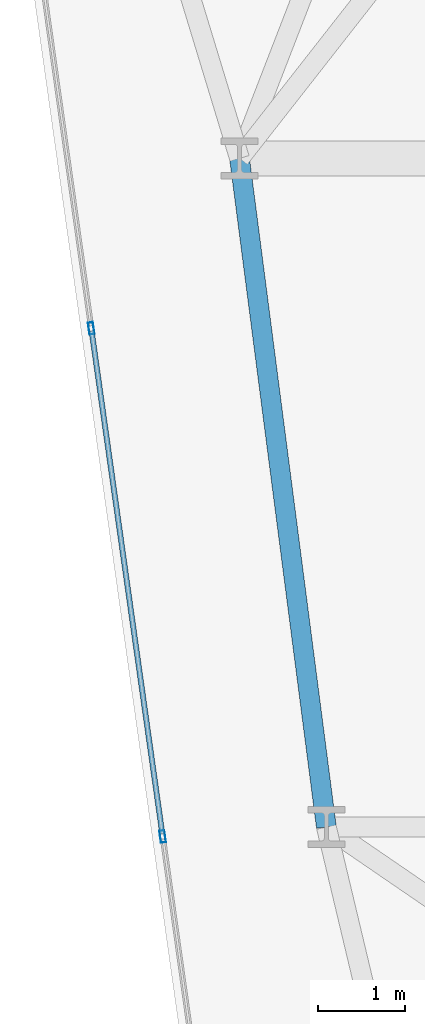
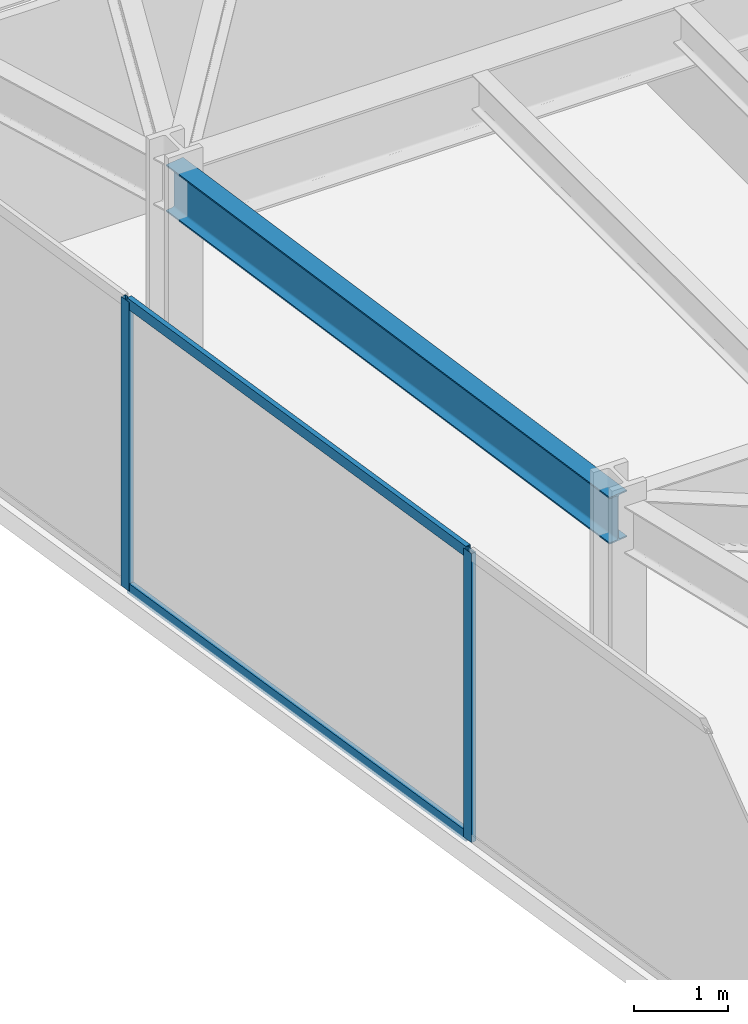
# One storey, part 5 of 26: 4 members, 1 beam, 1 element without a shape of its own.
"""IFC4 building model written with IfcOpenShell, lengths in metres."""

from ifc_helpers import new_model, si_unit, direction, frame, origin, origin_2d, place, context, subcontext, project, spatial, hollow_rectangle, i_section, extrude, material, layer, layer_set, material_profile, profile_set, type_object, element, aggregate, save


model = new_model("IFC4")

# Units and contexts
model_context = context("Model", 3, precision=1e-05, world=origin(), true_north=direction((0.0, 1.0)))
body_context = subcontext(model_context, "Body", "Model", "MODEL_VIEW")
ifc_project = project(units=[si_unit("LENGTHUNIT", "METRE"), si_unit("AREAUNIT", "SQUARE_METRE"), si_unit("VOLUMEUNIT", "CUBIC_METRE"), si_unit("PLANEANGLEUNIT", "RADIAN"), si_unit("MASSUNIT", "GRAM", prefix="KILO")], contexts=[model_context])

# Site, building, storey
site_placement = place(None, origin())
site = spatial("IfcSite", under=ifc_project, at=site_placement, CompositionType="ELEMENT")
building_placement = place(site_placement, origin())
building = spatial("IfcBuilding", under=site, at=building_placement, Name="Kravanh Interchange Tower", CompositionType="ELEMENT")
storey_placement = place(building_placement, frame((0.0, 0.0, 112.0)))
storey = spatial("IfcBuildingStorey", under=building, at=storey_placement, Name="L26", CompositionType="ELEMENT", Elevation=112.0)

# Curtain wall, members
ifc_material_1 = material(Name="Anodised Bronze Aluminium", Category="aluminium")
ifc_layer = layer(ifc_material_1, 0.179931640625)
ifc_layer_set = layer_set([ifc_layer], Name="Unitised Curtain Wall System CW-Z2 Mid Office")
curtain_wall_type = type_object("IfcCurtainWallType", Name="Unitised Curtain Wall System CW-Z2 Mid Office", PredefinedType="NOTDEFINED", material=ifc_layer_set)
curtain_wall_placement = place(storey_placement, origin())
curtain_wall = element("IfcCurtainWall", 1, at=curtain_wall_placement, inside=storey, type_object=curtain_wall_type, Name="L26 Unitised Curtain Wall CW-L26-01", PredefinedType="NOTDEFINED")
ifc_material_2 = material(Name="Anodised Bronze Aluminium", Category="aluminium")
ifc_material_profile_1 = material_profile(ifc_material_2, hollow_rectangle(XDim=0.06005859375, YDim=0.139892578125, WallThickness=0.00390625, at=origin_2d()), Name="ALU60X140X4")
ifc_profile_set_1 = profile_set([ifc_material_profile_1], Name="Anodised Bronze Aluminium")
member_type_1 = type_object("IfcMemberType", Name="Curtain Wall Mullion ALU60X140X4 Bronze", PredefinedType="MULLION", material=ifc_profile_set_1)
member_1_placement = place(storey_placement, frame((14.114990234375, 14.390869140625, 0.0), z_axis=(0.0, 0.0, 1.0), x_axis=(-0.990268103846, -0.13917285118, 0.0)))
member_1 = element("IfcMember", 2, at=member_1_placement, type_object=member_type_1, Name="CW-Z2 mullion 2", PredefinedType="MULLION", context=body_context, shape_type="SweptSolid", body=[
    extrude(hollow_rectangle(XDim=0.06005859375, YDim=0.139892578125, WallThickness=0.00390625, at=origin_2d()), origin(), (0.0, 0.0, 1.0), 3.75),
])
member_2_placement = place(storey_placement, frame((13.29248046875, 20.2431640625, 0.0), z_axis=(0.0, 0.0, 1.0), x_axis=(-0.990268103846, -0.13917285118, 0.0)))
member_2 = element("IfcMember", 3, at=member_2_placement, type_object=member_type_1, Name="CW-Z2 mullion 3", PredefinedType="MULLION", context=body_context, shape_type="SweptSolid", body=[
    extrude(hollow_rectangle(XDim=0.06005859375, YDim=0.139892578125, WallThickness=0.00390625, at=origin_2d()), origin(), (0.0, 0.0, 1.0), 3.75),
])
ifc_material_3 = material(Name="Anodised Bronze Aluminium", Category="aluminium")
ifc_material_profile_2 = material_profile(ifc_material_3, hollow_rectangle(XDim=0.06005859375, YDim=0.139892578125, WallThickness=0.00390625, at=origin_2d()), Name="ALU60X140X4")
ifc_profile_set_2 = profile_set([ifc_material_profile_2], Name="Anodised Bronze Aluminium")
member_type_2 = type_object("IfcMemberType", Name="Curtain Wall Transom ALU60X140X4 Bronze", PredefinedType="USERDEFINED", material=ifc_profile_set_2)
member_3_placement = place(storey_placement, frame((14.11083984375, 14.420654296875, 0.030029296875), z_axis=(-0.139183212647, 0.990266647584, 0.0), x_axis=(-0.990266647584, -0.139183212647, 0.0)))
member_3 = element("IfcMember", 4, at=member_3_placement, type_object=member_type_2, Name="CW-Z2 transom 2.1", ObjectType="TRANSOM", PredefinedType="USERDEFINED", context=body_context, shape_type="SweptSolid", body=[
    extrude(hollow_rectangle(XDim=0.06005859375, YDim=0.139892578125, WallThickness=0.00390625, at=origin_2d()), origin(), (0.0, 0.0, 1.0), 5.849853515625),
])
member_4_placement = place(storey_placement, frame((14.11083984375, 14.420654296875, 3.719970703125), z_axis=(-0.139183212647, 0.990266647584, 0.0), x_axis=(-0.990266647584, -0.139183212647, 0.0)))
member_4 = element("IfcMember", 5, at=member_4_placement, type_object=member_type_2, Name="CW-Z2 transom 2.2", ObjectType="TRANSOM", PredefinedType="USERDEFINED", context=body_context, shape_type="SweptSolid", body=[
    extrude(hollow_rectangle(XDim=0.06005859375, YDim=0.139892578125, WallThickness=0.00390625, at=origin_2d()), origin(), (0.0, 0.0, 1.0), 5.849853515625),
])
aggregate(curtain_wall, [member_1, member_2, member_3, member_4])

# Beam
ifc_material_4 = material(Name="Structural Steel S355", Category="steel")
ifc_material_profile_3 = material_profile(ifc_material_4, i_section(OverallWidth=0.22802734375, OverallDepth=0.60791015625, WebThickness=0.01123046875, FlangeThickness=0.017333984375, FilletRadius=0.02197265625, at=origin_2d()), Name="W24X76")
ifc_profile_set_3 = profile_set([ifc_material_profile_3], Name="Structural Steel S355")
beam_type = type_object("IfcBeamType", Name="Floor Spandrel W24X76 Structural Steel S355", PredefinedType="SPANDREL", material=ifc_profile_set_3)
beam_placement = place(storey_placement, frame((16.0, 14.5, 3.446044921875), z_axis=(-0.128789384125, 0.99167196922, 0.0), x_axis=(-0.99167196922, -0.128789384125, 0.0)))
element("IfcBeam", 6, at=beam_placement, inside=storey, type_object=beam_type, Name="L26 Perimeter Spandrel 100", PredefinedType="SPANDREL", context=body_context, shape_type="SweptSolid", body=[
    extrude(i_section(OverallWidth=0.22802734375, OverallDepth=0.60791015625, WebThickness=0.01123046875, FlangeThickness=0.017333984375, FilletRadius=0.02197265625, at=origin_2d()), origin(), (0.0, 0.0, 1.0), 7.7646484375),
])

save(model, "model.ifc")
